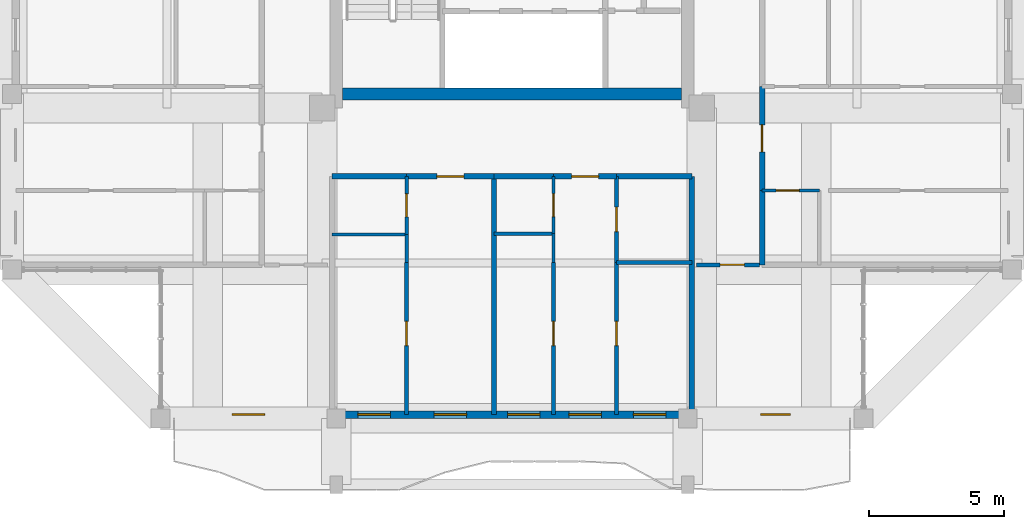
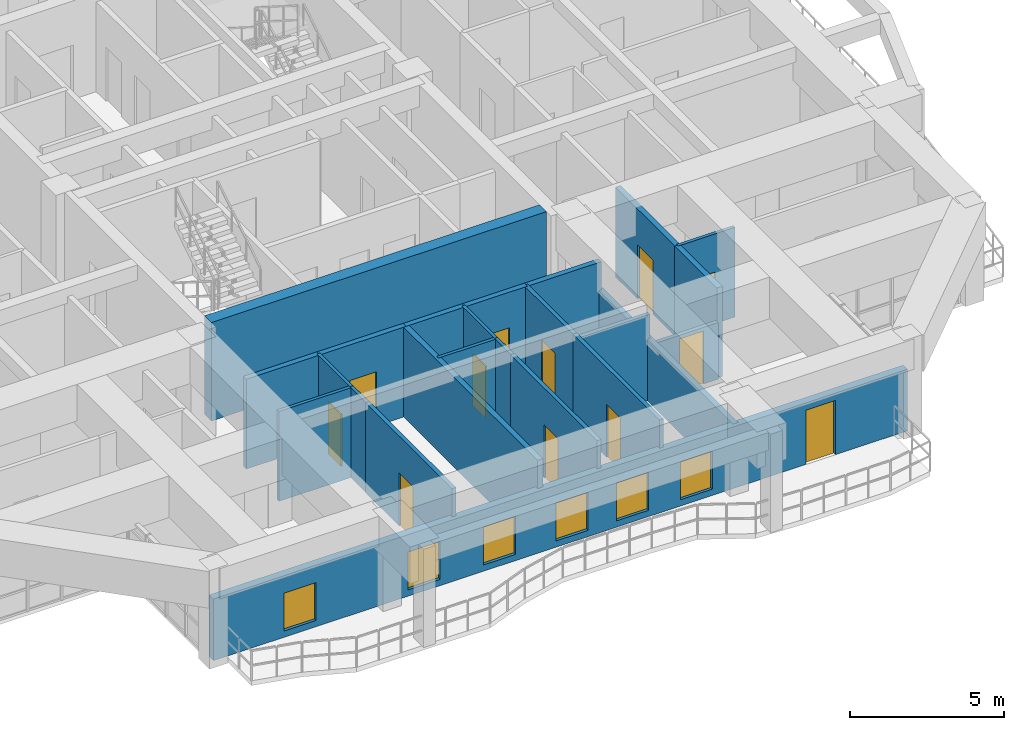
# One storey, part 11 of 22: 24 walls, 12 doors, 6 windows, 18 openings.
"""IFC4 building model written with IfcOpenShell, lengths in metres."""

from ifc_helpers import new_model, si_unit, direction, frame, frame_2d, origin, place, context, subcontext, project, spatial, rectangle, extrude, source, transform, mapped, material, layer, layer_set, type_object, element, fill, save


model = new_model("IFC4")

# Units and contexts
model_context = context("Model", 3, precision=1e-05, world=origin(), true_north=direction((0.0, 1.0)))
body_context = subcontext(model_context, "Body", "Model", "MODEL_VIEW")
ifc_project = project(units=[si_unit("LENGTHUNIT", "METRE"), si_unit("AREAUNIT", "SQUARE_METRE"), si_unit("VOLUMEUNIT", "CUBIC_METRE"), si_unit("PLANEANGLEUNIT", "RADIAN"), si_unit("MASSUNIT", "GRAM", prefix="KILO")], contexts=[model_context])

# Site, building, storey
site_placement = place(None, origin())
site = spatial("IfcSite", under=ifc_project, at=site_placement, CompositionType="ELEMENT")
building_placement = place(site_placement, origin())
building = spatial("IfcBuilding", under=site, at=building_placement, Name="Saelheon Loggia Tower", CompositionType="ELEMENT")
storey_placement = place(building_placement, frame((0.0, 0.0, 216.300048828125)))
storey = spatial("IfcBuildingStorey", under=building, at=storey_placement, Name="L67", CompositionType="ELEMENT", Elevation=216.300048828125)

# Wall
ifc_material_1 = material(Name="Concrete C45/55", Category="concrete")
ifc_layer_1 = layer(ifc_material_1, 0.449951171875)
ifc_layer_set_1 = layer_set([ifc_layer_1], Name="Concrete C45/55")
wall_type_1 = type_object("IfcWallType", Name="Wall_CoreShear_450", PredefinedType="SHEAR", material=ifc_layer_set_1)
wall_1_placement = place(storey_placement, frame((31.72509765625, 18.0, 0.0), z_axis=(0.0, 0.0, 1.0), x_axis=(1.0, 0.0, 0.0)))
element("IfcWall", 1, at=wall_1_placement, inside=storey, type_object=wall_type_1, Name="L67 Core Shear Wall South", PredefinedType="SHEAR", context=body_context, shape_type="SweptSolid", body=[
    extrude(rectangle(XDim=12.5498046875, YDim=0.449951171875, at=frame_2d((6.27490234375, 0.0))), origin(), (0.0, 0.0, 1.0), 3.89990234375),
])

# Wall, openings, windows, door
ifc_material_2 = material(Name="Architectural Precast Concrete C40/50", Category="concrete")
ifc_layer_2 = layer(ifc_material_2, 0.280029296875)
ifc_layer_set_2 = layer_set([ifc_layer_2], Name="Architectural Precast Concrete C40/50")
wall_type_2 = type_object("IfcWallType", Name="Wall_Ext_Loggia_280", PredefinedType="SOLIDWALL", material=ifc_layer_set_2)
wall_2_placement = place(storey_placement, frame((25.0, 6.139892578125, 0.0), z_axis=(0.0, 0.0, 1.0), x_axis=(1.0, 0.0, 0.0)))
wall_2 = element("IfcWall", 2, at=wall_2_placement, inside=storey, type_object=wall_type_2, Name="L67 South Loggia Inner Wall", PredefinedType="SOLIDWALL", context=body_context, shape_type="SweptSolid", body=[
    extrude(rectangle(XDim=26.0, YDim=0.280029296875, at=frame_2d((13.0, 0.0))), origin(), (0.0, 0.0, 1.0), 2.43994140625),
])
opening_1_placement = place(wall_2_placement, frame((2.64990234375, 0.0, 0.25)))
opening_1 = element("IfcOpeningElement", 3, at=opening_1_placement, cuts=wall_2, Name="Opening WN-03", PredefinedType="OPENING", context=body_context, shape_type="SweptSolid", body=[
    extrude(rectangle(XDim=1.199951171875, YDim=1.5, at=frame_2d((0.60009765625, 0.75))), frame((0.0, 0.152099609375, 0.0), z_axis=(0.0, -1.0, 0.0), x_axis=(1.0, 0.0, 0.0)), (0.0, 0.0, 1.0), 0.303955078125),
])
opening_2_placement = place(wall_2_placement, frame((7.29638671875, 0.0, 0.25)))
opening_2 = element("IfcOpeningElement", 4, at=opening_2_placement, cuts=wall_2, Name="Opening WN-03", PredefinedType="OPENING", context=body_context, shape_type="SweptSolid", body=[
    extrude(rectangle(XDim=1.199951171875, YDim=1.5, at=frame_2d((0.60009765625, 0.75))), frame((0.0, 0.152099609375, 0.0), z_axis=(0.0, -1.0, 0.0), x_axis=(1.0, 0.0, 0.0)), (0.0, 0.0, 1.0), 0.303955078125),
])
opening_3_placement = place(wall_2_placement, frame((10.118896484375, 0.0, 0.25)))
opening_3 = element("IfcOpeningElement", 5, at=opening_3_placement, cuts=wall_2, Name="Opening WN-03", PredefinedType="OPENING", context=body_context, shape_type="SweptSolid", body=[
    extrude(rectangle(XDim=1.199951171875, YDim=1.5, at=frame_2d((0.60009765625, 0.75))), frame((0.0, 0.152099609375, 0.0), z_axis=(0.0, -1.0, 0.0), x_axis=(1.0, 0.0, 0.0)), (0.0, 0.0, 1.0), 0.303955078125),
])
opening_4_placement = place(wall_2_placement, frame((12.8349609375, 0.0, 0.25)))
opening_4 = element("IfcOpeningElement", 6, at=opening_4_placement, cuts=wall_2, Name="Opening WN-03", PredefinedType="OPENING", context=body_context, shape_type="SweptSolid", body=[
    extrude(rectangle(XDim=1.199951171875, YDim=1.5, at=frame_2d((0.60009765625, 0.75))), frame((0.0, 0.152099609375, 0.0), z_axis=(0.0, -1.0, 0.0), x_axis=(1.0, 0.0, 0.0)), (0.0, 0.0, 1.0), 0.303955078125),
])
opening_5_placement = place(wall_2_placement, frame((15.1025390625, 0.0, 0.25)))
opening_5 = element("IfcOpeningElement", 7, at=opening_5_placement, cuts=wall_2, Name="Opening WN-03", PredefinedType="OPENING", context=body_context, shape_type="SweptSolid", body=[
    extrude(rectangle(XDim=1.199951171875, YDim=1.5, at=frame_2d((0.60009765625, 0.75))), frame((0.0, 0.152099609375, 0.0), z_axis=(0.0, -1.0, 0.0), x_axis=(1.0, 0.0, 0.0)), (0.0, 0.0, 1.0), 0.303955078125),
])
opening_6_placement = place(wall_2_placement, frame((17.489990234375, 0.0, 0.25)))
opening_6 = element("IfcOpeningElement", 8, at=opening_6_placement, cuts=wall_2, Name="Opening WN-03", PredefinedType="OPENING", context=body_context, shape_type="SweptSolid", body=[
    extrude(rectangle(XDim=1.199951171875, YDim=1.5, at=frame_2d((0.60009765625, 0.75))), frame((0.0, 0.152099609375, 0.0), z_axis=(0.0, -1.0, 0.0), x_axis=(1.0, 0.0, 0.0)), (0.0, 0.0, 1.0), 0.303955078125),
])
opening_7_placement = place(wall_2_placement, frame((23.300048828125, 0.0, 0.0), z_axis=(0.0, 0.0, 1.0), x_axis=(-1.0, 0.0, 0.0)))
opening_7 = element("IfcOpeningElement", 9, at=opening_7_placement, cuts=wall_2, Name="Opening TD1", PredefinedType="OPENING", context=body_context, shape_type="SweptSolid", body=[
    extrude(rectangle(XDim=1.10009765625, YDim=2.14990234375, at=frame_2d((0.550048828125, 1.074951171875))), frame((0.0, 0.152099609375, 0.0), z_axis=(0.0, -1.0, 0.0), x_axis=(1.0, 0.0, 0.0)), (0.0, 0.0, 1.0), 0.303955078125),
])
ifc_material_3 = material(Name="Thermal-Break Aluminium and Triple Low-E Glass", Category="aluminium")
window_type = type_object("IfcWindowType", Name="Win_Bedroom_1200x1500", PartitioningType="SINGLE_PANEL", PredefinedType="WINDOW", material=ifc_material_3)
shared_shape_1 = source(origin(), body_context, "Body", "SweptSolid", [
    extrude(rectangle(XDim=1.199951171875, YDim=1.5, at=frame_2d((0.60009765625, 0.75))), frame((0.0, 0.030029296875, 0.0), z_axis=(0.0, -1.0, 0.0), x_axis=(1.0, 0.0, 0.0)), (0.0, 0.0, 1.0), 0.06005859375),
])
window_1_placement = place(opening_1_placement, origin())
window_1 = element("IfcWindow", 10, at=window_1_placement, inside=storey, type_object=window_type, Name="L67 S Dwelling Window 1", OverallHeight=1.5, OverallWidth=1.199951171875, PartitioningType="SINGLE_PANEL", PredefinedType="WINDOW", context=body_context, shape_type="MappedRepresentation", body=[
    mapped(shared_shape_1, transform((0.0, 0.0, 0.0), scale=1.0)),
])
fill(opening_1, window_1)
window_2_placement = place(opening_2_placement, origin())
window_2 = element("IfcWindow", 11, at=window_2_placement, inside=storey, type_object=window_type, Name="L67 S Dwelling Window 2", OverallHeight=1.5, OverallWidth=1.199951171875, PartitioningType="SINGLE_PANEL", PredefinedType="WINDOW", context=body_context, shape_type="MappedRepresentation", body=[
    mapped(shared_shape_1, transform((0.0, 0.0, 0.0), scale=1.0)),
])
fill(opening_2, window_2)
window_3_placement = place(opening_3_placement, origin())
window_3 = element("IfcWindow", 12, at=window_3_placement, inside=storey, type_object=window_type, Name="L67 S Dwelling Window 3", OverallHeight=1.5, OverallWidth=1.199951171875, PartitioningType="SINGLE_PANEL", PredefinedType="WINDOW", context=body_context, shape_type="MappedRepresentation", body=[
    mapped(shared_shape_1, transform((0.0, 0.0, 0.0), scale=1.0)),
])
fill(opening_3, window_3)
window_4_placement = place(opening_4_placement, origin())
window_4 = element("IfcWindow", 13, at=window_4_placement, inside=storey, type_object=window_type, Name="L67 S Dwelling Window 4", OverallHeight=1.5, OverallWidth=1.199951171875, PartitioningType="SINGLE_PANEL", PredefinedType="WINDOW", context=body_context, shape_type="MappedRepresentation", body=[
    mapped(shared_shape_1, transform((0.0, 0.0, 0.0), scale=1.0)),
])
fill(opening_4, window_4)
window_5_placement = place(opening_5_placement, origin())
window_5 = element("IfcWindow", 14, at=window_5_placement, inside=storey, type_object=window_type, Name="L67 S Dwelling Window 5", OverallHeight=1.5, OverallWidth=1.199951171875, PartitioningType="SINGLE_PANEL", PredefinedType="WINDOW", context=body_context, shape_type="MappedRepresentation", body=[
    mapped(shared_shape_1, transform((0.0, 0.0, 0.0), scale=1.0)),
])
fill(opening_5, window_5)
window_6_placement = place(opening_6_placement, origin())
window_6 = element("IfcWindow", 15, at=window_6_placement, inside=storey, type_object=window_type, Name="L67 S Dwelling Window 6", OverallHeight=1.5, OverallWidth=1.199951171875, PartitioningType="SINGLE_PANEL", PredefinedType="WINDOW", context=body_context, shape_type="MappedRepresentation", body=[
    mapped(shared_shape_1, transform((0.0, 0.0, 0.0), scale=1.0)),
])
fill(opening_6, window_6)
ifc_material_4 = material(Name="Thermal-Break Aluminium Glazed Door", Category="aluminium")
door_type_1 = type_object("IfcDoorType", Name="Door_Terrace_TD1", OperationType="NOTDEFINED", PredefinedType="DOOR", material=ifc_material_4)
shared_shape_2 = source(origin(), body_context, "Body", "SweptSolid", [
    extrude(rectangle(XDim=1.10009765625, YDim=2.14990234375, at=frame_2d((0.550048828125, 1.074951171875))), frame((0.0, 0.02490234375, 0.0), z_axis=(0.0, -1.0, 0.0), x_axis=(1.0, 0.0, 0.0)), (0.0, 0.0, 1.0), 0.050048828125),
])
door_1_placement = place(opening_7_placement, origin())
door_1 = element("IfcDoor", 16, at=door_1_placement, inside=storey, type_object=door_type_1, Name="L67 S Loggia Access Door", OperationType="SINGLE_SWING_LEFT", OverallHeight=2.14990234375, OverallWidth=1.10009765625, PredefinedType="DOOR", context=body_context, shape_type="MappedRepresentation", body=[
    mapped(shared_shape_2, transform((0.0, 0.0, 0.0), scale=1.0)),
])
fill(opening_7, door_1)

# Wall, opening, door
ifc_material_5 = material(Name="Lightweight Autoclaved Aerated Concrete Block and Acoustic Gypsum", Category="concrete")
ifc_layer_3 = layer(ifc_material_5, 0.14990234375)
ifc_layer_set_3 = layer_set([ifc_layer_3], Name="Lightweight Autoclaved Aerated Concrete Block and Acoustic Gypsum")
wall_type_3 = type_object("IfcWallType", Name="Wall_Part_150", PredefinedType="PARTITIONING", material=ifc_layer_set_3)
wall_3_placement = place(storey_placement, frame((44.820068359375, 11.679931640625, 0.0), z_axis=(0.0, 0.0, 1.0), x_axis=(1.0, 0.0, 0.0)))
wall_3 = element("IfcWall", 17, at=wall_3_placement, inside=storey, type_object=wall_type_3, Name="PW-L67-CSE-H", PredefinedType="PARTITIONING", context=body_context, shape_type="SweptSolid", body=[
    extrude(rectangle(XDim=2.329833984375, YDim=0.14990234375, at=frame_2d((1.1650390625, 0.0))), origin(), (0.0, 0.0, 1.0), 2.239990234375),
])
opening_8_placement = place(wall_3_placement, frame((0.8798828125, 0.0, 0.0)))
opening_8 = element("IfcOpeningElement", 18, at=opening_8_placement, cuts=wall_3, Name="Opening D-IN2", PredefinedType="OPENING", context=body_context, shape_type="SweptSolid", body=[
    extrude(rectangle(XDim=0.89990234375, YDim=2.10009765625, at=frame_2d((0.449951171875, 1.050048828125))), frame((0.0, 0.0869140625, 0.0), z_axis=(0.0, -1.0, 0.0), x_axis=(1.0, 0.0, 0.0)), (0.0, 0.0, 1.0), 0.173828125),
])
ifc_material_6 = material(Name="Engineered Oak Flush Door", Category="timber")
door_type_2 = type_object("IfcDoorType", Name="Door_Int_900", OperationType="NOTDEFINED", PredefinedType="DOOR", material=ifc_material_6)
shared_shape_3 = source(origin(), body_context, "Body", "SweptSolid", [
    extrude(rectangle(XDim=0.89990234375, YDim=2.10009765625, at=frame_2d((0.449951171875, 1.050048828125))), frame((0.0, 0.02490234375, 0.0), z_axis=(0.0, -1.0, 0.0), x_axis=(1.0, 0.0, 0.0)), (0.0, 0.0, 1.0), 0.050048828125),
])
door_2_placement = place(opening_8_placement, origin())
door_2 = element("IfcDoor", 19, at=door_2_placement, inside=storey, type_object=door_type_2, Name="L67 Corner Reading Room SE Door", OperationType="SINGLE_SWING_RIGHT", OverallHeight=2.10009765625, OverallWidth=0.89990234375, PredefinedType="DOOR", context=body_context, shape_type="MappedRepresentation", body=[
    mapped(shared_shape_3, transform((0.0, 0.0, 0.0), scale=1.0)),
])
fill(opening_8, door_2)

wall_4_placement = place(storey_placement, frame((34.10302734375, 11.77001953125, 0.0), z_axis=(0.0, 0.0, 1.0), x_axis=(0.0, -1.0, 0.0)))
wall_4 = element("IfcWall", 20, at=wall_4_placement, inside=storey, type_object=wall_type_3, Name="L67 S Partition U08", PredefinedType="PARTITIONING", context=body_context, shape_type="SweptSolid", body=[
    extrude(rectangle(XDim=5.6201171875, YDim=0.14990234375, at=frame_2d((2.81005859375, 0.0))), origin(), (0.0, 0.0, 1.0), 3.56005859375),
])
opening_9_placement = place(wall_4_placement, frame((2.183349609375, 0.0, 0.0)))
opening_9 = element("IfcOpeningElement", 21, at=opening_9_placement, cuts=wall_4, Name="Opening D-IN2", PredefinedType="OPENING", context=body_context, shape_type="SweptSolid", body=[
    extrude(rectangle(XDim=0.89990234375, YDim=2.10009765625, at=frame_2d((0.449951171875, 1.050048828125))), frame((0.0, 0.0869140625, 0.0), z_axis=(0.0, -1.0, 0.0), x_axis=(1.0, 0.0, 0.0)), (0.0, 0.0, 1.0), 0.173828125),
])
door_3_placement = place(opening_9_placement, origin())
door_3 = element("IfcDoor", 22, at=door_3_placement, inside=storey, type_object=door_type_2, Name="Unit U01 Kitchen Door", OperationType="SINGLE_SWING_RIGHT", OverallHeight=2.10009765625, OverallWidth=0.89990234375, PredefinedType="DOOR", context=body_context, shape_type="MappedRepresentation", body=[
    mapped(shared_shape_3, transform((0.0, 0.0, 0.0), scale=1.0)),
])
fill(opening_9, door_3)

# Wall
wall_5_placement = place(storey_placement, frame((41.870361328125, 11.77001953125, 0.0), z_axis=(0.0, 0.0, 1.0), x_axis=(1.0, 0.0, 0.0)))
element("IfcWall", 23, at=wall_5_placement, inside=storey, type_object=wall_type_3, Name="L67 S Partition V14", PredefinedType="PARTITIONING", context=body_context, shape_type="SweptSolid", body=[
    extrude(rectangle(XDim=2.779541015625, YDim=0.14990234375, at=frame_2d((1.3896484375, 0.0))), origin(), (0.0, 0.0, 1.0), 3.389892578125),
])

# Wall, opening, door
wall_6_placement = place(storey_placement, frame((39.534912109375, 11.77001953125, 0.0), z_axis=(0.0, 0.0, 1.0), x_axis=(0.0, -1.0, 0.0)))
wall_6 = element("IfcWall", 24, at=wall_6_placement, inside=storey, type_object=wall_type_3, Name="L67 S Partition U17", PredefinedType="PARTITIONING", context=body_context, shape_type="SweptSolid", body=[
    extrude(rectangle(XDim=5.6201171875, YDim=0.14990234375, at=frame_2d((2.81005859375, 0.0))), origin(), (0.0, 0.0, 1.0), 3.56005859375),
])
opening_10_placement = place(wall_6_placement, frame((2.183349609375, 0.0, 0.0)))
opening_10 = element("IfcOpeningElement", 25, at=opening_10_placement, cuts=wall_6, Name="Opening D-IN2", PredefinedType="OPENING", context=body_context, shape_type="SweptSolid", body=[
    extrude(rectangle(XDim=0.89990234375, YDim=2.10009765625, at=frame_2d((0.449951171875, 1.050048828125))), frame((0.0, 0.0869140625, 0.0), z_axis=(0.0, -1.0, 0.0), x_axis=(1.0, 0.0, 0.0)), (0.0, 0.0, 1.0), 0.173828125),
])
door_4_placement = place(opening_10_placement, origin())
door_4 = element("IfcDoor", 26, at=door_4_placement, inside=storey, type_object=door_type_2, Name="Unit U02 Kitchen Door", OperationType="SINGLE_SWING_LEFT", OverallHeight=2.10009765625, OverallWidth=0.89990234375, PredefinedType="DOOR", context=body_context, shape_type="MappedRepresentation", body=[
    mapped(shared_shape_3, transform((0.0, 0.0, 0.0), scale=1.0)),
])
fill(opening_10, door_4)

wall_7_placement = place(storey_placement, frame((41.870361328125, 14.949951171875, 0.0), z_axis=(0.0, 0.0, 1.0), x_axis=(0.0, -1.0, 0.0)))
wall_7 = element("IfcWall", 27, at=wall_7_placement, inside=storey, type_object=wall_type_3, Name="L67 S Partition U18", PredefinedType="PARTITIONING", context=body_context, shape_type="SweptSolid", body=[
    extrude(rectangle(XDim=3.179931640625, YDim=0.14990234375, at=frame_2d((1.58984375, 0.0))), origin(), (0.0, 0.0, 1.0), 3.56005859375),
])
opening_11_placement = place(wall_7_placement, frame((1.139892578125, 0.0, 0.0)))
opening_11 = element("IfcOpeningElement", 28, at=opening_11_placement, cuts=wall_7, Name="Opening D-IN2", PredefinedType="OPENING", context=body_context, shape_type="SweptSolid", body=[
    extrude(rectangle(XDim=0.89990234375, YDim=2.10009765625, at=frame_2d((0.449951171875, 1.050048828125))), frame((0.0, 0.0869140625, 0.0), z_axis=(0.0, -1.0, 0.0), x_axis=(1.0, 0.0, 0.0)), (0.0, 0.0, 1.0), 0.173828125),
])
door_5_placement = place(opening_11_placement, origin())
door_5 = element("IfcDoor", 29, at=door_5_placement, inside=storey, type_object=door_type_2, Name="Unit U02 Dressing Closet Door", OperationType="SINGLE_SWING_RIGHT", OverallHeight=2.10009765625, OverallWidth=0.89990234375, PredefinedType="DOOR", context=body_context, shape_type="MappedRepresentation", body=[
    mapped(shared_shape_3, transform((0.0, 0.0, 0.0), scale=1.0)),
])
fill(opening_11, door_5)

wall_8_placement = place(storey_placement, frame((41.870361328125, 11.77001953125, 0.0), z_axis=(0.0, 0.0, 1.0), x_axis=(0.0, -1.0, 0.0)))
wall_8 = element("IfcWall", 30, at=wall_8_placement, inside=storey, type_object=wall_type_3, Name="L67 S Partition U19", PredefinedType="PARTITIONING", context=body_context, shape_type="SweptSolid", body=[
    extrude(rectangle(XDim=5.6201171875, YDim=0.14990234375, at=frame_2d((2.81005859375, 0.0))), origin(), (0.0, 0.0, 1.0), 3.56005859375),
])
opening_12_placement = place(wall_8_placement, frame((2.183349609375, 0.0, 0.0)))
opening_12 = element("IfcOpeningElement", 31, at=opening_12_placement, cuts=wall_8, Name="Opening D-IN2", PredefinedType="OPENING", context=body_context, shape_type="SweptSolid", body=[
    extrude(rectangle(XDim=0.89990234375, YDim=2.10009765625, at=frame_2d((0.449951171875, 1.050048828125))), frame((0.0, 0.0869140625, 0.0), z_axis=(0.0, -1.0, 0.0), x_axis=(1.0, 0.0, 0.0)), (0.0, 0.0, 1.0), 0.173828125),
])
door_6_placement = place(opening_12_placement, origin())
door_6 = element("IfcDoor", 32, at=door_6_placement, inside=storey, type_object=door_type_2, Name="Unit U02 Bedroom 1 Door", OperationType="SINGLE_SWING_LEFT", OverallHeight=2.10009765625, OverallWidth=0.89990234375, PredefinedType="DOOR", context=body_context, shape_type="MappedRepresentation", body=[
    mapped(shared_shape_3, transform((0.0, 0.0, 0.0), scale=1.0)),
])
fill(opening_12, door_6)

# Walls
ifc_material_7 = material(Name="Double Acoustic Stud and Fireboard Partition", Category="gypsum")
ifc_layer_4 = layer(ifc_material_7, 0.199951171875)
ifc_layer_set_4 = layer_set([ifc_layer_4], Name="Double Acoustic Stud and Fireboard Partition")
wall_type_4 = type_object("IfcWallType", Name="Wall_Party_200", PredefinedType="PARTITIONING", material=ifc_layer_set_4)
wall_9_placement = place(storey_placement, frame((44.64990234375, 14.949951171875, 0.0), z_axis=(0.0, 0.0, 1.0), x_axis=(0.0, -1.0, 0.0)))
element("IfcWall", 33, at=wall_9_placement, inside=storey, type_object=wall_type_4, Name="L67 S Partition U02", PredefinedType="PARTITIONING", context=body_context, shape_type="SweptSolid", body=[
    extrude(rectangle(XDim=8.800048828125, YDim=0.199951171875, at=frame_2d((4.39990234375, 0.0))), origin(), (0.0, 0.0, 1.0), 2.43994140625),
])
wall_10_placement = place(storey_placement, frame((31.35009765625, 14.949951171875, 0.0), z_axis=(0.0, 0.0, 1.0), x_axis=(1.0, 0.0, 0.0)))
element("IfcWall", 34, at=wall_10_placement, inside=storey, type_object=wall_type_4, Name="L67 S Partition V03", PredefinedType="PARTITIONING", context=body_context, shape_type="SweptSolid", body=[
    extrude(rectangle(XDim=2.7529296875, YDim=0.199951171875, at=frame_2d((1.37646484375, 0.0))), origin(), (0.0, 0.0, 1.0), 3.56005859375),
])

# Wall, opening, door
wall_11_placement = place(storey_placement, frame((34.10302734375, 14.949951171875, 0.0), z_axis=(0.0, 0.0, 1.0), x_axis=(1.0, 0.0, 0.0)))
wall_11 = element("IfcWall", 35, at=wall_11_placement, inside=storey, type_object=wall_type_4, Name="L67 S Partition V04", PredefinedType="PARTITIONING", context=body_context, shape_type="SweptSolid", body=[
    extrude(rectangle(XDim=3.23193359375, YDim=0.199951171875, at=frame_2d((1.615966796875, 0.0))), origin(), (0.0, 0.0, 1.0), 3.56005859375),
])
opening_13_placement = place(wall_11_placement, frame((1.115966796875, 0.0, 0.0)))
opening_13 = element("IfcOpeningElement", 36, at=opening_13_placement, cuts=wall_11, Name="Opening D-FD1", PredefinedType="OPENING", context=body_context, shape_type="SweptSolid", body=[
    extrude(rectangle(XDim=1.0, YDim=2.14990234375, at=frame_2d((0.5, 1.074951171875))), frame((0.0, 0.112060546875, 0.0), z_axis=(0.0, -1.0, 0.0), x_axis=(1.0, 0.0, 0.0)), (0.0, 0.0, 1.0), 0.223876953125),
])
ifc_material_8 = material(Name="Fire-Rated Engineered Timber Entrance Door", Category="wood")
door_type_3 = type_object("IfcDoorType", Name="Door_Flat_FD30S", OperationType="NOTDEFINED", PredefinedType="DOOR", material=ifc_material_8)
shared_shape_4 = source(origin(), body_context, "Body", "SweptSolid", [
    extrude(rectangle(XDim=1.0, YDim=2.14990234375, at=frame_2d((0.5, 1.074951171875))), frame((0.0, 0.02490234375, 0.0), z_axis=(0.0, -1.0, 0.0), x_axis=(1.0, 0.0, 0.0)), (0.0, 0.0, 1.0), 0.050048828125),
])
door_7_placement = place(opening_13_placement, origin())
door_7 = element("IfcDoor", 37, at=door_7_placement, inside=storey, type_object=door_type_3, Name="Unit U01 Entrance Door", OperationType="SINGLE_SWING_RIGHT", OverallHeight=2.14990234375, OverallWidth=1.0, PredefinedType="DOOR", context=body_context, shape_type="MappedRepresentation", body=[
    mapped(shared_shape_4, transform((0.0, 0.0, 0.0), scale=1.0)),
])
fill(opening_13, door_7)

# Walls
wall_12_placement = place(storey_placement, frame((37.3349609375, 14.949951171875, 0.0), z_axis=(0.0, 0.0, 1.0), x_axis=(0.0, -1.0, 0.0)))
element("IfcWall", 38, at=wall_12_placement, inside=storey, type_object=wall_type_4, Name="L67 S Partition U09", PredefinedType="PARTITIONING", context=body_context, shape_type="SweptSolid", body=[
    extrude(rectangle(XDim=8.800048828125, YDim=0.199951171875, at=frame_2d((4.39990234375, 0.0))), origin(), (0.0, 0.0, 1.0), 3.56005859375),
])
wall_13_placement = place(storey_placement, frame((37.3349609375, 14.949951171875, 0.0), z_axis=(0.0, 0.0, 1.0), x_axis=(1.0, 0.0, 0.0)))
element("IfcWall", 39, at=wall_13_placement, inside=storey, type_object=wall_type_4, Name="L67 S Partition V10", PredefinedType="PARTITIONING", context=body_context, shape_type="SweptSolid", body=[
    extrude(rectangle(XDim=2.199951171875, YDim=0.199951171875, at=frame_2d((1.10009765625, 0.0))), origin(), (0.0, 0.0, 1.0), 3.56005859375),
])

# Wall, opening, door
wall_14_placement = place(storey_placement, frame((39.534912109375, 14.949951171875, 0.0), z_axis=(0.0, 0.0, 1.0), x_axis=(1.0, 0.0, 0.0)))
wall_14 = element("IfcWall", 40, at=wall_14_placement, inside=storey, type_object=wall_type_4, Name="L67 S Partition V11", PredefinedType="PARTITIONING", context=body_context, shape_type="SweptSolid", body=[
    extrude(rectangle(XDim=2.33544921875, YDim=0.199951171875, at=frame_2d((1.167724609375, 0.0))), origin(), (0.0, 0.0, 1.0), 3.56005859375),
])
opening_14_placement = place(wall_14_placement, frame((0.667724609375, 0.0, 0.0)))
opening_14 = element("IfcOpeningElement", 41, at=opening_14_placement, cuts=wall_14, Name="Opening D-FD1", PredefinedType="OPENING", context=body_context, shape_type="SweptSolid", body=[
    extrude(rectangle(XDim=1.0, YDim=2.14990234375, at=frame_2d((0.5, 1.074951171875))), frame((0.0, 0.112060546875, 0.0), z_axis=(0.0, -1.0, 0.0), x_axis=(1.0, 0.0, 0.0)), (0.0, 0.0, 1.0), 0.223876953125),
])
door_8_placement = place(opening_14_placement, origin())
door_8 = element("IfcDoor", 42, at=door_8_placement, inside=storey, type_object=door_type_3, Name="Unit U02 Entrance Door", OperationType="SINGLE_SWING_LEFT", OverallHeight=2.14990234375, OverallWidth=1.0, PredefinedType="DOOR", context=body_context, shape_type="MappedRepresentation", body=[
    mapped(shared_shape_4, transform((0.0, 0.0, 0.0), scale=1.0)),
])
fill(opening_14, door_8)

# Walls
wall_15_placement = place(storey_placement, frame((41.870361328125, 14.949951171875, 0.0), z_axis=(0.0, 0.0, 1.0), x_axis=(1.0, 0.0, 0.0)))
element("IfcWall", 43, at=wall_15_placement, inside=storey, type_object=wall_type_4, Name="L67 S Partition V12", PredefinedType="PARTITIONING", context=body_context, shape_type="SweptSolid", body=[
    extrude(rectangle(XDim=2.779541015625, YDim=0.199951171875, at=frame_2d((1.3896484375, 0.0))), origin(), (0.0, 0.0, 1.0), 3.56005859375),
])
wall_16_placement = place(storey_placement, frame((47.25, 11.679931640625, 0.0), z_axis=(0.0, 0.0, 1.0), x_axis=(0.0, 1.0, 0.0)))
element("IfcWall", 44, at=wall_16_placement, inside=storey, type_object=wall_type_4, Name="L67 E Partition V03", PredefinedType="PARTITIONING", context=body_context, shape_type="SweptSolid", body=[
    extrude(rectangle(XDim=2.75, YDim=0.199951171875, at=frame_2d((1.375, 0.0))), origin(), (0.0, 0.0, 1.0), 3.56005859375),
])

# Wall, opening, door
wall_17_placement = place(storey_placement, frame((47.25, 14.429931640625, 0.0), z_axis=(0.0, 0.0, 1.0), x_axis=(0.0, 1.0, 0.0)))
wall_17 = element("IfcWall", 45, at=wall_17_placement, inside=storey, type_object=wall_type_4, Name="L67 E Partition V04", PredefinedType="PARTITIONING", context=body_context, shape_type="SweptSolid", body=[
    extrude(rectangle(XDim=3.85009765625, YDim=0.199951171875, at=frame_2d((1.925048828125, 0.0))), origin(), (0.0, 0.0, 1.0), 3.56005859375),
])
opening_15_placement = place(wall_17_placement, frame((1.425048828125, 0.0, 0.0)))
opening_15 = element("IfcOpeningElement", 46, at=opening_15_placement, cuts=wall_17, Name="Opening D-FD1", PredefinedType="OPENING", context=body_context, shape_type="SweptSolid", body=[
    extrude(rectangle(XDim=1.0, YDim=2.14990234375, at=frame_2d((0.5, 1.074951171875))), frame((0.0, 0.112060546875, 0.0), z_axis=(0.0, -1.0, 0.0), x_axis=(1.0, 0.0, 0.0)), (0.0, 0.0, 1.0), 0.223876953125),
])
door_9_placement = place(opening_15_placement, origin())
door_9 = element("IfcDoor", 47, at=door_9_placement, inside=storey, type_object=door_type_3, Name="Unit U08 Entrance Door", OperationType="SINGLE_SWING_RIGHT", OverallHeight=2.14990234375, OverallWidth=1.0, PredefinedType="DOOR", context=body_context, shape_type="MappedRepresentation", body=[
    mapped(shared_shape_4, transform((0.0, 0.0, 0.0), scale=1.0)),
])
fill(opening_15, door_9)

ifc_material_9 = material(Name="Moisture-Resistant Cement Board Partition", Category="gypsum")
ifc_layer_5 = layer(ifc_material_9, 0.1201171875)
ifc_layer_set_5 = layer_set([ifc_layer_5], Name="Moisture-Resistant Cement Board Partition")
wall_type_5 = type_object("IfcWallType", Name="Wall_WetPart_120", PredefinedType="PARTITIONING", material=ifc_layer_set_5)
wall_18_placement = place(storey_placement, frame((34.10302734375, 14.949951171875, 0.0), z_axis=(0.0, 0.0, 1.0), x_axis=(0.0, -1.0, 0.0)))
wall_18 = element("IfcWall", 48, at=wall_18_placement, inside=storey, type_object=wall_type_5, Name="L67 S Partition U05", PredefinedType="PARTITIONING", context=body_context, shape_type="SweptSolid", body=[
    extrude(rectangle(XDim=2.14990234375, YDim=0.1201171875, at=frame_2d((1.074951171875, 0.0))), origin(), (0.0, 0.0, 1.0), 3.56005859375),
])
opening_16_placement = place(wall_18_placement, frame((0.64990234375, 0.0, 0.0)))
opening_16 = element("IfcOpeningElement", 49, at=opening_16_placement, cuts=wall_18, Name="Opening D-BT1", PredefinedType="OPENING", context=body_context, shape_type="SweptSolid", body=[
    extrude(rectangle(XDim=0.85009765625, YDim=2.050048828125, at=frame_2d((0.425048828125, 1.02490234375))), frame((0.0, 0.072021484375, 0.0), z_axis=(0.0, -1.0, 0.0), x_axis=(1.0, 0.0, 0.0)), (0.0, 0.0, 1.0), 0.14404296875),
])
ifc_material_10 = material(Name="Moisture-Resistant Laminate Timber Door", Category="wood")
door_type_4 = type_object("IfcDoorType", Name="Door_Bath_850", OperationType="NOTDEFINED", PredefinedType="DOOR", material=ifc_material_10)
shared_shape_5 = source(origin(), body_context, "Body", "SweptSolid", [
    extrude(rectangle(XDim=0.85009765625, YDim=2.050048828125, at=frame_2d((0.425048828125, 1.02490234375))), frame((0.0, 0.02490234375, 0.0), z_axis=(0.0, -1.0, 0.0), x_axis=(1.0, 0.0, 0.0)), (0.0, 0.0, 1.0), 0.050048828125),
])
door_10_placement = place(opening_16_placement, origin())
door_10 = element("IfcDoor", 50, at=door_10_placement, inside=storey, type_object=door_type_4, Name="Unit U01 Bathroom Door", OperationType="SINGLE_SWING_LEFT", OverallHeight=2.050048828125, OverallWidth=0.85009765625, PredefinedType="DOOR", context=body_context, shape_type="MappedRepresentation", body=[
    mapped(shared_shape_5, transform((0.0, 0.0, 0.0), scale=1.0)),
])
fill(opening_16, door_10)

# Walls
wall_19_placement = place(storey_placement, frame((34.10302734375, 12.800048828125, 0.0), z_axis=(0.0, 0.0, 1.0), x_axis=(0.0, -1.0, 0.0)))
element("IfcWall", 51, at=wall_19_placement, inside=storey, type_object=wall_type_5, Name="L67 S Partition U06", PredefinedType="PARTITIONING", context=body_context, shape_type="SweptSolid", body=[
    extrude(rectangle(XDim=1.030029296875, YDim=0.1201171875, at=frame_2d((0.51513671875, 0.0))), origin(), (0.0, 0.0, 1.0), 3.56005859375),
])
wall_20_placement = place(storey_placement, frame((31.35009765625, 12.800048828125, 0.0), z_axis=(0.0, 0.0, 1.0), x_axis=(1.0, 0.0, 0.0)))
element("IfcWall", 52, at=wall_20_placement, inside=storey, type_object=wall_type_5, Name="L67 S Partition V07", PredefinedType="PARTITIONING", context=body_context, shape_type="SweptSolid", body=[
    extrude(rectangle(XDim=2.7529296875, YDim=0.1201171875, at=frame_2d((1.37646484375, 0.0))), origin(), (0.0, 0.0, 1.0), 3.56005859375),
])
wall_21_placement = place(storey_placement, frame((37.3349609375, 12.830078125, 0.0), z_axis=(0.0, 0.0, 1.0), x_axis=(1.0, 0.0, 0.0)))
element("IfcWall", 53, at=wall_21_placement, inside=storey, type_object=wall_type_5, Name="L67 S Partition V13", PredefinedType="PARTITIONING", context=body_context, shape_type="SweptSolid", body=[
    extrude(rectangle(XDim=2.199951171875, YDim=0.1201171875, at=frame_2d((1.10009765625, 0.0))), origin(), (0.0, 0.0, 1.0), 3.56005859375),
])

# Wall, opening, door
wall_22_placement = place(storey_placement, frame((39.534912109375, 14.949951171875, 0.0), z_axis=(0.0, 0.0, 1.0), x_axis=(0.0, -1.0, 0.0)))
wall_22 = element("IfcWall", 54, at=wall_22_placement, inside=storey, type_object=wall_type_5, Name="L67 S Partition U15", PredefinedType="PARTITIONING", context=body_context, shape_type="SweptSolid", body=[
    extrude(rectangle(XDim=2.119873046875, YDim=0.1201171875, at=frame_2d((1.06005859375, 0.0))), origin(), (0.0, 0.0, 1.0), 3.56005859375),
])
opening_17_placement = place(wall_22_placement, frame((0.635009765625, 0.0, 0.0)))
opening_17 = element("IfcOpeningElement", 55, at=opening_17_placement, cuts=wall_22, Name="Opening D-BT1", PredefinedType="OPENING", context=body_context, shape_type="SweptSolid", body=[
    extrude(rectangle(XDim=0.85009765625, YDim=2.050048828125, at=frame_2d((0.425048828125, 1.02490234375))), frame((0.0, 0.072021484375, 0.0), z_axis=(0.0, -1.0, 0.0), x_axis=(1.0, 0.0, 0.0)), (0.0, 0.0, 1.0), 0.14404296875),
])
door_11_placement = place(opening_17_placement, origin())
door_11 = element("IfcDoor", 56, at=door_11_placement, inside=storey, type_object=door_type_4, Name="Unit U02 Bathroom Door", OperationType="SINGLE_SWING_RIGHT", OverallHeight=2.050048828125, OverallWidth=0.85009765625, PredefinedType="DOOR", context=body_context, shape_type="MappedRepresentation", body=[
    mapped(shared_shape_5, transform((0.0, 0.0, 0.0), scale=1.0)),
])
fill(opening_17, door_11)

# Wall
wall_23_placement = place(storey_placement, frame((39.534912109375, 12.830078125, 0.0), z_axis=(0.0, 0.0, 1.0), x_axis=(0.0, -1.0, 0.0)))
element("IfcWall", 57, at=wall_23_placement, inside=storey, type_object=wall_type_5, Name="L67 S Partition U16", PredefinedType="PARTITIONING", context=body_context, shape_type="SweptSolid", body=[
    extrude(rectangle(XDim=1.06005859375, YDim=0.1201171875, at=frame_2d((0.530029296875, 0.0))), origin(), (0.0, 0.0, 1.0), 3.56005859375),
])

# Wall, opening, door
wall_24_placement = place(storey_placement, frame((47.25, 14.429931640625, 0.0), z_axis=(0.0, 0.0, 1.0), x_axis=(1.0, 0.0, 0.0)))
wall_24 = element("IfcWall", 58, at=wall_24_placement, inside=storey, type_object=wall_type_5, Name="L67 E Partition U08", PredefinedType="PARTITIONING", context=body_context, shape_type="SweptSolid", body=[
    extrude(rectangle(XDim=2.1201171875, YDim=0.1201171875, at=frame_2d((1.06005859375, 0.0))), origin(), (0.0, 0.0, 1.0), 3.56005859375),
])
opening_18_placement = place(wall_24_placement, frame((0.519775390625, 0.0, 0.0)))
opening_18 = element("IfcOpeningElement", 59, at=opening_18_placement, cuts=wall_24, Name="Opening D-BT1", PredefinedType="OPENING", context=body_context, shape_type="SweptSolid", body=[
    extrude(rectangle(XDim=0.85009765625, YDim=2.050048828125, at=frame_2d((0.425048828125, 1.02490234375))), frame((0.0, 0.072021484375, 0.0), z_axis=(0.0, -1.0, 0.0), x_axis=(1.0, 0.0, 0.0)), (0.0, 0.0, 1.0), 0.14404296875),
])
door_12_placement = place(opening_18_placement, origin())
door_12 = element("IfcDoor", 60, at=door_12_placement, inside=storey, type_object=door_type_4, Name="Unit U08 Bathroom Door", OperationType="SINGLE_SWING_LEFT", OverallHeight=2.050048828125, OverallWidth=0.85009765625, PredefinedType="DOOR", context=body_context, shape_type="MappedRepresentation", body=[
    mapped(shared_shape_5, transform((0.0, 0.0, 0.0), scale=1.0)),
])
fill(opening_18, door_12)

save(model, "model.ifc")
